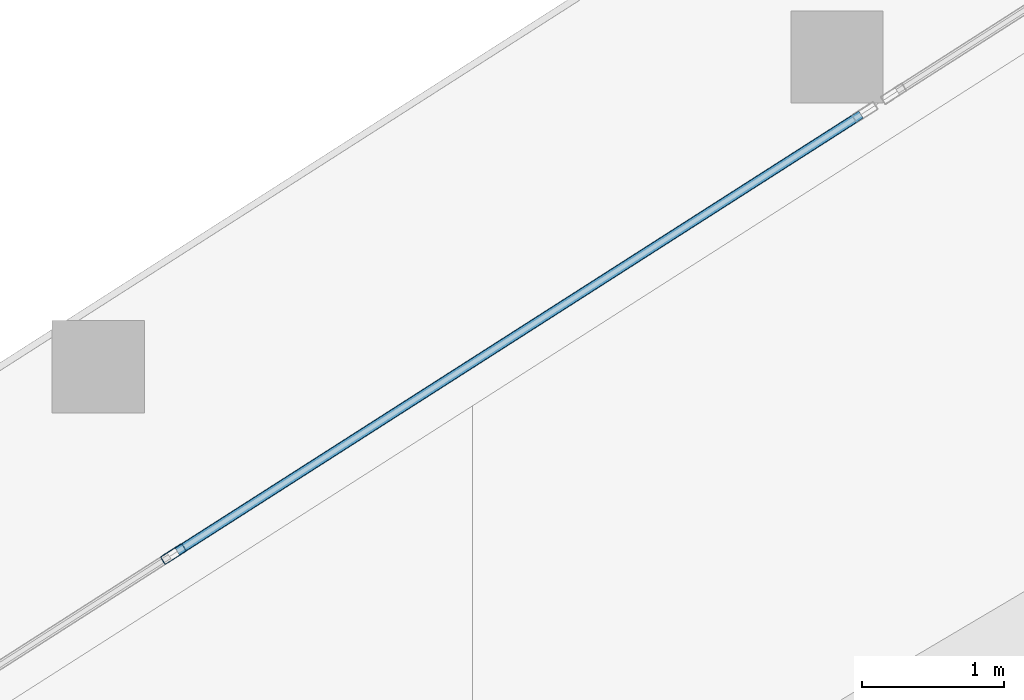
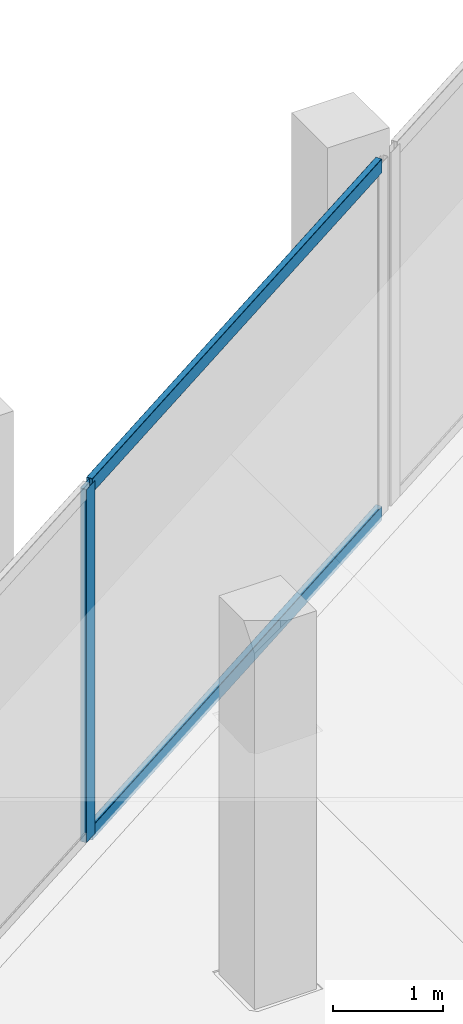
# One storey, part 16 of 45: 3 members, 1 element without a shape of its own.
"""IFC4 building model written with IfcOpenShell, lengths in metres."""

from ifc_helpers import new_model, si_unit, direction, frame, origin, origin_2d, place, context, subcontext, project, spatial, hollow_rectangle, extrude, material, layer, layer_set, material_profile, profile_set, type_object, element, aggregate, save


model = new_model("IFC4")

# Units and contexts
model_context = context("Model", 3, precision=1e-05, world=origin(), true_north=direction((0.0, 1.0)))
body_context = subcontext(model_context, "Body", "Model", "MODEL_VIEW")
ifc_project = project(units=[si_unit("LENGTHUNIT", "METRE"), si_unit("AREAUNIT", "SQUARE_METRE"), si_unit("VOLUMEUNIT", "CUBIC_METRE"), si_unit("PLANEANGLEUNIT", "RADIAN"), si_unit("MASSUNIT", "GRAM", prefix="KILO")], contexts=[model_context])

# Site, building, storey
site_placement = place(None, origin())
site = spatial("IfcSite", under=ifc_project, at=site_placement, CompositionType="ELEMENT")
building_placement = place(site_placement, origin())
building = spatial("IfcBuilding", under=site, at=building_placement, Name="Qorvath Tower", CompositionType="ELEMENT")
storey_placement = place(building_placement, frame((0.0, 0.0, 66.0)))
storey = spatial("IfcBuildingStorey", under=building, at=storey_placement, Name="L14", CompositionType="ELEMENT", Elevation=66.0)

# Curtain wall, members
ifc_material_1 = material(Name="Anodised aluminium and triple low-E glass", Category="aluminium")
ifc_layer = layer(ifc_material_1, 0.179931640625)
ifc_layer_set = layer_set([ifc_layer], Name="CW-SYS-2")
curtain_wall_type = type_object("IfcCurtainWallType", Name="CW-SYS-2", PredefinedType="NOTDEFINED", material=ifc_layer_set)
curtain_wall_placement = place(storey_placement, origin())
curtain_wall = element("IfcCurtainWall", 1, at=curtain_wall_placement, inside=storey, type_object=curtain_wall_type, Name="Curtain Wall CW-2 CW-T-L14-16.3", PredefinedType="NOTDEFINED")
ifc_material_2 = material(Name="Anodised aluminium 6063-T6", Category="aluminium")
ifc_material_profile_1 = material_profile(ifc_material_2, hollow_rectangle(XDim=0.06494140625, YDim=0.179931640625, WallThickness=0.00341796875, InnerFilletRadius=0.00341796875, OuterFilletRadius=0.007080078125, at=origin_2d()), Name="CWM 180x65")
ifc_profile_set_1 = profile_set([ifc_material_profile_1], Name="Anodised aluminium 6063-T6")
member_type_1 = type_object("IfcMemberType", Name="CWM-180", PredefinedType="MULLION", material=ifc_profile_set_1)
member_1_placement = place(storey_placement, frame((-45.00634765625, 13.4560546875, 0.0), z_axis=(0.0, 0.0, 1.0), x_axis=(0.538530641183, -0.842605927173, 0.0)))
member_1 = element("IfcMember", 2, at=member_1_placement, type_object=member_type_1, Name="CW-2 mullion 2", PredefinedType="MULLION", context=body_context, shape_type="SweptSolid", body=[
    extrude(hollow_rectangle(XDim=0.06494140625, YDim=0.179931640625, WallThickness=0.00341796875, InnerFilletRadius=0.00341796875, OuterFilletRadius=0.007080078125, at=origin_2d()), origin(), (0.0, 0.0, 1.0), 3.919921875),
])
ifc_material_3 = material(Name="Anodised aluminium 6063-T6", Category="aluminium")
ifc_material_profile_2 = material_profile(ifc_material_3, hollow_rectangle(XDim=0.06494140625, YDim=0.159912109375, WallThickness=0.00341796875, InnerFilletRadius=0.00341796875, OuterFilletRadius=0.007080078125, at=origin_2d()), Name="CWT 160x65")
ifc_profile_set_2 = profile_set([ifc_material_profile_2], Name="Anodised aluminium 6063-T6")
member_type_2 = type_object("IfcMemberType", Name="CWT-160", PredefinedType="USERDEFINED", material=ifc_profile_set_2)
member_2_placement = place(storey_placement, frame((-40.164306640625, 16.55078125, 0.032470703125), z_axis=(-0.842590167086, -0.53855529923, 0.0), x_axis=(0.53855529923, -0.842590167086, 0.0)))
member_2 = element("IfcMember", 3, at=member_2_placement, type_object=member_type_2, Name="CW-2 transom 1.1", ObjectType="TRANSOM", PredefinedType="USERDEFINED", context=body_context, shape_type="SweptSolid", body=[
    extrude(hollow_rectangle(XDim=0.06494140625, YDim=0.159912109375, WallThickness=0.00341796875, InnerFilletRadius=0.00341796875, OuterFilletRadius=0.007080078125, at=origin_2d()), origin(), (0.0, 0.0, 1.0), 5.714111328125),
])
member_3_placement = place(storey_placement, frame((-40.164306640625, 16.55078125, 3.887451171875), z_axis=(-0.842590167086, -0.53855529923, 0.0), x_axis=(0.53855529923, -0.842590167086, 0.0)))
member_3 = element("IfcMember", 4, at=member_3_placement, type_object=member_type_2, Name="CW-2 transom 1.2", ObjectType="TRANSOM", PredefinedType="USERDEFINED", context=body_context, shape_type="SweptSolid", body=[
    extrude(hollow_rectangle(XDim=0.06494140625, YDim=0.159912109375, WallThickness=0.00341796875, InnerFilletRadius=0.00341796875, OuterFilletRadius=0.007080078125, at=origin_2d()), origin(), (0.0, 0.0, 1.0), 5.714111328125),
])
aggregate(curtain_wall, [member_1, member_2, member_3])

save(model, "model.ifc")
